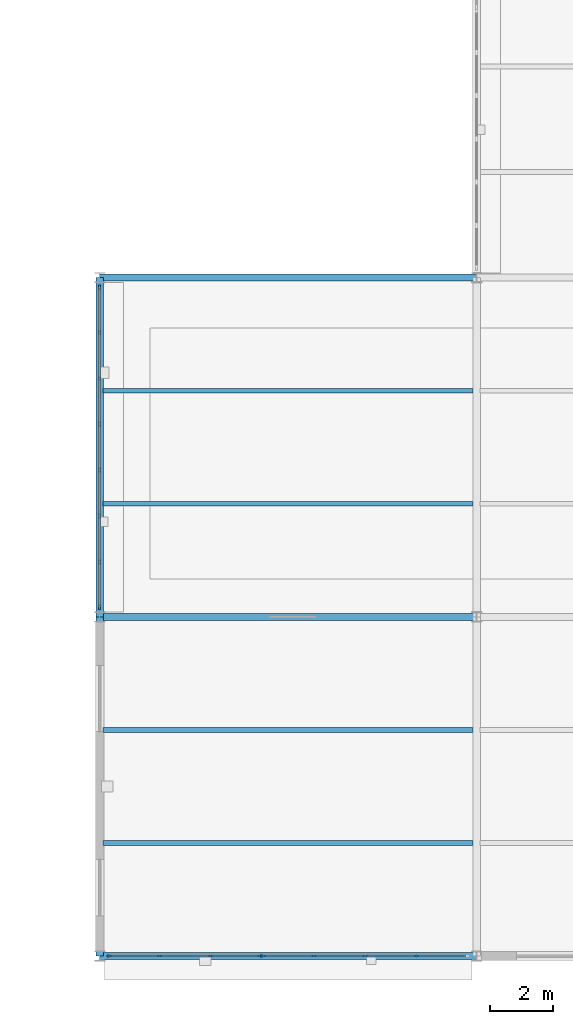
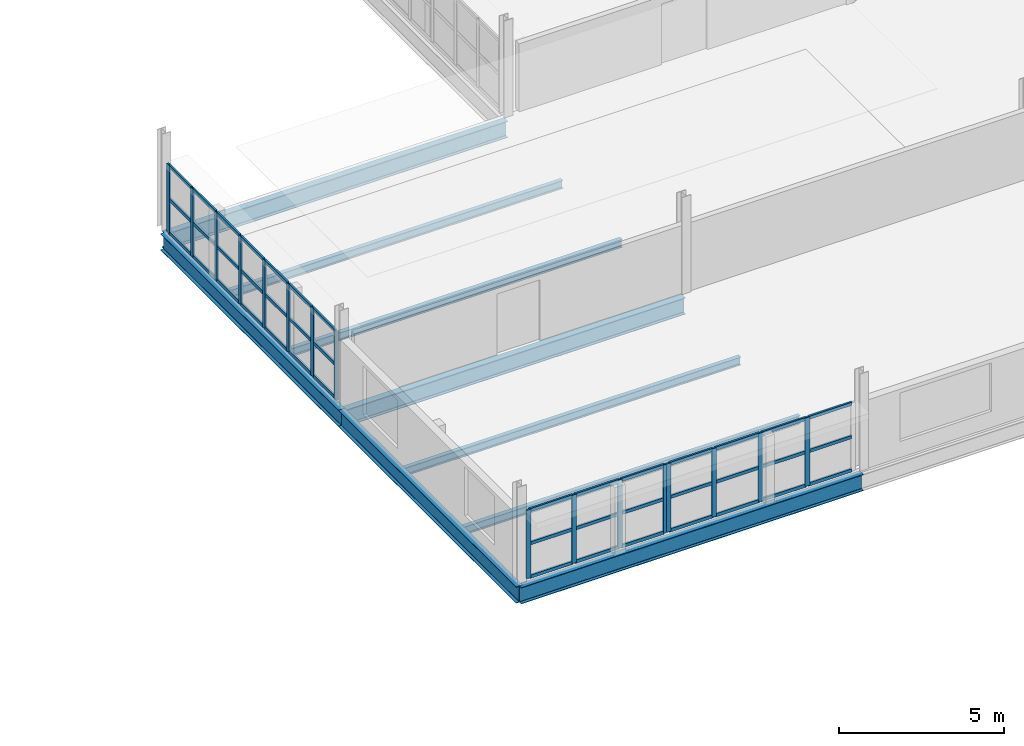
# One storey, part 25 of 79: 58 members, 9 beams, 3 elements without a shape of their own.
"""IFC4 building model written with IfcOpenShell, lengths in metres."""

from ifc_helpers import new_model, si_unit, direction, frame, origin, origin_2d, place, context, subcontext, project, spatial, rectangle, i_section, extrude, material, layer, layer_set, material_profile, profile_set, type_object, element, aggregate, save


model = new_model("IFC4")

# Units and contexts
model_context = context("Model", 3, precision=1e-05, world=origin(), true_north=direction((0.0, 1.0)))
body_context = subcontext(model_context, "Body", "Model", "MODEL_VIEW")
ifc_project = project(units=[si_unit("LENGTHUNIT", "METRE"), si_unit("AREAUNIT", "SQUARE_METRE"), si_unit("VOLUMEUNIT", "CUBIC_METRE"), si_unit("PLANEANGLEUNIT", "RADIAN"), si_unit("MASSUNIT", "GRAM", prefix="KILO"), si_unit("THERMODYNAMICTEMPERATUREUNIT", "KELVIN"), si_unit("POWERUNIT", "WATT")], contexts=[model_context])

# Site, building, storey
site_placement = place(None, origin())
site = spatial("IfcSite", under=ifc_project, at=site_placement, CompositionType="ELEMENT")
building_placement = place(site_placement, origin())
building = spatial("IfcBuilding", under=site, at=building_placement, Name="Tembeka Court Mobility Hub", CompositionType="ELEMENT")
storey_placement = place(building_placement, frame((0.0, 0.0, 9.0)))
storey = spatial("IfcBuildingStorey", under=building, at=storey_placement, Name="L02", CompositionType="ELEMENT", Elevation=9.0)

# Beams
ifc_material_1 = material(Name="Steel S355", Category="steel")
ifc_material_profile_1 = material_profile(ifc_material_1, i_section(OverallWidth=0.22900390625, OverallDepth=0.612060546875, WebThickness=0.011962890625, FlangeThickness=0.01953125, FilletRadius=0.0126953125, at=origin_2d()), Name="UKB 610x229x125")
ifc_profile_set_1 = profile_set([ifc_material_profile_1], Name="Steel S355")
beam_type_1 = type_object("IfcBeamType", Name="BM-G02", PredefinedType="USERDEFINED", material=ifc_profile_set_1)
for number, where, z_axis, x_axis, name in (
    (1, (116.39990234375, 0.0, -0.49609375), (1.0, 0.0, 0.0), (0.0, 1.0, 0.0), "Beam G02 (BM-L02-X1180)"),
    (2, (116.39990234375, 10.800048828125, -0.49609375), (1.0, 0.0, 0.0), (0.0, 1.0, 0.0), "Beam G02 (BM-L02-X1188)"),
    (3, (116.39990234375, 21.60009765625, -0.49609375), (1.0, 0.0, 0.0), (0.0, 1.0, 0.0), "Beam G02 (BM-L02-X1204)"),
):
    element("IfcBeam", number, at=place(storey_placement, frame(where, z_axis=z_axis, x_axis=x_axis)), inside=storey, type_object=beam_type_1, Name=name, ObjectType="GIRDER", PredefinedType="USERDEFINED", context=body_context, shape_type="SweptSolid", body=[
        extrude(i_section(OverallWidth=0.22900390625, OverallDepth=0.612060546875, WebThickness=0.011962890625, FlangeThickness=0.01953125, FilletRadius=0.0126953125, at=origin_2d()), origin(), (0.0, 0.0, 1.0), 12.0),
    ])
for number, where, z_axis, x_axis, name in (
    (4, (116.39990234375, 0.0, -0.49609375), (0.0, 1.0, 0.0), (-1.0, 0.0, 0.0), "Beam G02 (BM-L02-Y1412)"),
    (5, (116.39990234375, 10.800048828125, -0.49609375), (0.0, 1.0, 0.0), (-1.0, 0.0, 0.0), "Beam G02 (BM-L02-Y1413)"),
):
    element("IfcBeam", number, at=place(storey_placement, frame(where, z_axis=z_axis, x_axis=x_axis)), inside=storey, type_object=beam_type_1, Name=name, ObjectType="GIRDER", PredefinedType="USERDEFINED", context=body_context, shape_type="SweptSolid", body=[
        extrude(i_section(OverallWidth=0.22900390625, OverallDepth=0.612060546875, WebThickness=0.011962890625, FlangeThickness=0.01953125, FilletRadius=0.0126953125, at=origin_2d()), origin(), (0.0, 0.0, 1.0), 10.800048828125),
    ])
ifc_material_profile_2 = material_profile(ifc_material_1, i_section(OverallWidth=0.14990234375, OverallDepth=0.300048828125, WebThickness=0.007080078125, FlangeThickness=0.0107421875, FilletRadius=0.014892578125, at=origin_2d()), Name="IPE 300")
ifc_profile_set_2 = profile_set([ifc_material_profile_2], Name="Steel S355")
beam_type_2 = type_object("IfcBeamType", Name="BM-J04", PredefinedType="JOIST", material=ifc_profile_set_2)
for number, where, z_axis, x_axis, name in (
    (6, (116.509521484375, 3.60009765625, -0.340087890625), (1.0, 0.0, 0.0), (0.0, 1.0, 0.0), "Beam J04 (JST-L02-1635)"),
    (7, (116.509521484375, 7.199951171875, -0.340087890625), (1.0, 0.0, 0.0), (0.0, 1.0, 0.0), "Beam J04 (JST-L02-1636)"),
    (8, (116.509521484375, 14.39990234375, -0.340087890625), (1.0, 0.0, 0.0), (0.0, 1.0, 0.0), "Beam J04 (JST-L02-1637)"),
    (9, (116.509521484375, 18.0, -0.340087890625), (1.0, 0.0, 0.0), (0.0, 1.0, 0.0), "Beam J04 (JST-L02-1638)"),
):
    element("IfcBeam", number, at=place(storey_placement, frame(where, z_axis=z_axis, x_axis=x_axis)), inside=storey, type_object=beam_type_2, Name=name, PredefinedType="JOIST", context=body_context, shape_type="SweptSolid", body=[
        extrude(i_section(OverallWidth=0.14990234375, OverallDepth=0.300048828125, WebThickness=0.007080078125, FlangeThickness=0.0107421875, FilletRadius=0.014892578125, at=origin_2d()), origin(), (0.0, 0.0, 1.0), 11.781005859375),
    ])

# Curtain wall, members
ifc_material_2 = material(Name="Anodised aluminium 6063-T6", Category="aluminium")
ifc_layer_1 = layer(ifc_material_2, 0.159912109375)
ifc_layer_set_1 = layer_set([ifc_layer_1], Name="Anodised aluminium 6063-T6")
curtain_wall_type_1 = type_object("IfcCurtainWallType", Name="CW-SYS47", PredefinedType="USERDEFINED", material=ifc_layer_set_1)
curtain_wall_1_placement = place(storey_placement, origin())
curtain_wall_1 = element("IfcCurtainWall", 10, at=curtain_wall_1_placement, inside=storey, type_object=curtain_wall_type_1, Name="Unitised curtain wall CW47 (CW-L02-118)", ObjectType="UNITISED GLAZING", PredefinedType="USERDEFINED")
ifc_material_profile_3 = material_profile(ifc_material_2, rectangle(XDim=0.06494140625, YDim=0.159912109375, at=origin_2d()), Name="ALU-MUL 65x160")
ifc_profile_set_3 = profile_set([ifc_material_profile_3], Name="Anodised aluminium 6063-T6")
member_type_1 = type_object("IfcMemberType", Name="CW-MUL01", PredefinedType="MULLION", material=ifc_profile_set_3)
member_1_placement = place(storey_placement, frame((116.71240234375, 0.0, 0.0), z_axis=(0.0, 0.0, 1.0), x_axis=(0.0, 1.0, 0.0)))
member_1 = element("IfcMember", 11, at=member_1_placement, type_object=member_type_1, Name="CW47 mullion 1", PredefinedType="MULLION", context=body_context, shape_type="SweptSolid", body=[
    extrude(rectangle(XDim=0.06494140625, YDim=0.159912109375, at=origin_2d()), origin(), (0.0, 0.0, 1.0), 2.534912109375),
])
member_2_placement = place(storey_placement, frame((118.300048828125, 0.0, 0.0), z_axis=(0.0, 0.0, 1.0), x_axis=(0.0, 1.0, 0.0)))
member_2 = element("IfcMember", 12, at=member_2_placement, type_object=member_type_1, Name="CW47 mullion 2", PredefinedType="MULLION", context=body_context, shape_type="SweptSolid", body=[
    extrude(rectangle(XDim=0.06494140625, YDim=0.159912109375, at=origin_2d()), origin(), (0.0, 0.0, 1.0), 2.534912109375),
])
member_3_placement = place(storey_placement, frame((119.919921875, 0.0, 0.0), z_axis=(0.0, 0.0, 1.0), x_axis=(0.0, 1.0, 0.0)))
member_3 = element("IfcMember", 13, at=member_3_placement, type_object=member_type_1, Name="CW47 mullion 3", PredefinedType="MULLION", context=body_context, shape_type="SweptSolid", body=[
    extrude(rectangle(XDim=0.06494140625, YDim=0.159912109375, at=origin_2d()), origin(), (0.0, 0.0, 1.0), 2.534912109375),
])
member_4_placement = place(storey_placement, frame((121.507568359375, 0.0, 0.0), z_axis=(0.0, 0.0, 1.0), x_axis=(0.0, 1.0, 0.0)))
member_4 = element("IfcMember", 14, at=member_4_placement, type_object=member_type_1, Name="CW47 mullion 4", PredefinedType="MULLION", context=body_context, shape_type="SweptSolid", body=[
    extrude(rectangle(XDim=0.06494140625, YDim=0.159912109375, at=origin_2d()), origin(), (0.0, 0.0, 1.0), 2.534912109375),
])

ifc_layer_2 = layer(ifc_material_2, 0.159912109375)
ifc_layer_set_2 = layer_set([ifc_layer_2], Name="Anodised aluminium 6063-T6")
curtain_wall_type_2 = type_object("IfcCurtainWallType", Name="CW-SYS48", PredefinedType="USERDEFINED", material=ifc_layer_set_2)
curtain_wall_2_placement = place(storey_placement, origin())
curtain_wall_2 = element("IfcCurtainWall", 15, at=curtain_wall_2_placement, inside=storey, type_object=curtain_wall_type_2, Name="Unitised curtain wall CW48 (CW-L02-119)", ObjectType="UNITISED GLAZING", PredefinedType="USERDEFINED")
member_5_placement = place(storey_placement, frame((121.612548828125, 0.0, 0.0), z_axis=(0.0, 0.0, 1.0), x_axis=(0.0, 1.0, 0.0)))
member_5 = element("IfcMember", 16, at=member_5_placement, type_object=member_type_1, Name="CW48 mullion 1", PredefinedType="MULLION", context=body_context, shape_type="SweptSolid", body=[
    extrude(rectangle(XDim=0.06494140625, YDim=0.159912109375, at=origin_2d()), origin(), (0.0, 0.0, 1.0), 2.534912109375),
])
member_6_placement = place(storey_placement, frame((123.215087890625, 0.0, 0.0), z_axis=(0.0, 0.0, 1.0), x_axis=(0.0, 1.0, 0.0)))
member_6 = element("IfcMember", 17, at=member_6_placement, type_object=member_type_1, Name="CW48 mullion 2", PredefinedType="MULLION", context=body_context, shape_type="SweptSolid", body=[
    extrude(rectangle(XDim=0.06494140625, YDim=0.159912109375, at=origin_2d()), origin(), (0.0, 0.0, 1.0), 2.534912109375),
])
member_7_placement = place(storey_placement, frame((124.85009765625, 0.0, 0.0), z_axis=(0.0, 0.0, 1.0), x_axis=(0.0, 1.0, 0.0)))
member_7 = element("IfcMember", 18, at=member_7_placement, type_object=member_type_1, Name="CW48 mullion 3", PredefinedType="MULLION", context=body_context, shape_type="SweptSolid", body=[
    extrude(rectangle(XDim=0.06494140625, YDim=0.159912109375, at=origin_2d()), origin(), (0.0, 0.0, 1.0), 2.534912109375),
])
member_8_placement = place(storey_placement, frame((126.485107421875, 0.0, 0.0), z_axis=(0.0, 0.0, 1.0), x_axis=(0.0, 1.0, 0.0)))
member_8 = element("IfcMember", 19, at=member_8_placement, type_object=member_type_1, Name="CW48 mullion 4", PredefinedType="MULLION", context=body_context, shape_type="SweptSolid", body=[
    extrude(rectangle(XDim=0.06494140625, YDim=0.159912109375, at=origin_2d()), origin(), (0.0, 0.0, 1.0), 2.534912109375),
])

ifc_layer_3 = layer(ifc_material_2, 0.159912109375)
ifc_layer_set_3 = layer_set([ifc_layer_3], Name="Anodised aluminium 6063-T6")
curtain_wall_type_3 = type_object("IfcCurtainWallType", Name="CW-SYS42", PredefinedType="USERDEFINED", material=ifc_layer_set_3)
curtain_wall_3_placement = place(storey_placement, origin())
curtain_wall_3 = element("IfcCurtainWall", 20, at=curtain_wall_3_placement, inside=storey, type_object=curtain_wall_type_3, Name="Unitised curtain wall CW42 (CW-L02-130)", ObjectType="UNITISED GLAZING", PredefinedType="USERDEFINED")
member_9_placement = place(storey_placement, frame((116.39990234375, 11.112548828125, 0.0), z_axis=(0.0, 0.0, 1.0), x_axis=(-1.0, 0.0, 0.0)))
member_9 = element("IfcMember", 21, at=member_9_placement, type_object=member_type_1, Name="CW42 mullion 1", PredefinedType="MULLION", context=body_context, shape_type="SweptSolid", body=[
    extrude(rectangle(XDim=0.06494140625, YDim=0.159912109375, at=origin_2d()), origin(), (0.0, 0.0, 1.0), 2.534912109375),
])
member_10_placement = place(storey_placement, frame((116.39990234375, 12.54296875, 0.0), z_axis=(0.0, 0.0, 1.0), x_axis=(-1.0, 0.0, 0.0)))
member_10 = element("IfcMember", 22, at=member_10_placement, type_object=member_type_1, Name="CW42 mullion 2", PredefinedType="MULLION", context=body_context, shape_type="SweptSolid", body=[
    extrude(rectangle(XDim=0.06494140625, YDim=0.159912109375, at=origin_2d()), origin(), (0.0, 0.0, 1.0), 2.534912109375),
])
member_11_placement = place(storey_placement, frame((116.39990234375, 14.005615234375, 0.0), z_axis=(0.0, 0.0, 1.0), x_axis=(-1.0, 0.0, 0.0)))
member_11 = element("IfcMember", 23, at=member_11_placement, type_object=member_type_1, Name="CW42 mullion 3", PredefinedType="MULLION", context=body_context, shape_type="SweptSolid", body=[
    extrude(rectangle(XDim=0.06494140625, YDim=0.159912109375, at=origin_2d()), origin(), (0.0, 0.0, 1.0), 2.534912109375),
])
member_12_placement = place(storey_placement, frame((116.39990234375, 15.468505859375, 0.0), z_axis=(0.0, 0.0, 1.0), x_axis=(-1.0, 0.0, 0.0)))
member_12 = element("IfcMember", 24, at=member_12_placement, type_object=member_type_1, Name="CW42 mullion 4", PredefinedType="MULLION", context=body_context, shape_type="SweptSolid", body=[
    extrude(rectangle(XDim=0.06494140625, YDim=0.159912109375, at=origin_2d()), origin(), (0.0, 0.0, 1.0), 2.534912109375),
])
member_13_placement = place(storey_placement, frame((116.39990234375, 16.931396484375, 0.0), z_axis=(0.0, 0.0, 1.0), x_axis=(-1.0, 0.0, 0.0)))
member_13 = element("IfcMember", 25, at=member_13_placement, type_object=member_type_1, Name="CW42 mullion 5", PredefinedType="MULLION", context=body_context, shape_type="SweptSolid", body=[
    extrude(rectangle(XDim=0.06494140625, YDim=0.159912109375, at=origin_2d()), origin(), (0.0, 0.0, 1.0), 2.534912109375),
])
member_14_placement = place(storey_placement, frame((116.39990234375, 18.394287109375, 0.0), z_axis=(0.0, 0.0, 1.0), x_axis=(-1.0, 0.0, 0.0)))
member_14 = element("IfcMember", 26, at=member_14_placement, type_object=member_type_1, Name="CW42 mullion 6", PredefinedType="MULLION", context=body_context, shape_type="SweptSolid", body=[
    extrude(rectangle(XDim=0.06494140625, YDim=0.159912109375, at=origin_2d()), origin(), (0.0, 0.0, 1.0), 2.534912109375),
])
member_15_placement = place(storey_placement, frame((116.39990234375, 19.857177734375, 0.0), z_axis=(0.0, 0.0, 1.0), x_axis=(-1.0, 0.0, 0.0)))
member_15 = element("IfcMember", 27, at=member_15_placement, type_object=member_type_1, Name="CW42 mullion 7", PredefinedType="MULLION", context=body_context, shape_type="SweptSolid", body=[
    extrude(rectangle(XDim=0.06494140625, YDim=0.159912109375, at=origin_2d()), origin(), (0.0, 0.0, 1.0), 2.534912109375),
])
member_16_placement = place(storey_placement, frame((116.39990234375, 21.28759765625, 0.0), z_axis=(0.0, 0.0, 1.0), x_axis=(-1.0, 0.0, 0.0)))
member_16 = element("IfcMember", 28, at=member_16_placement, type_object=member_type_1, Name="CW42 mullion 8", PredefinedType="MULLION", context=body_context, shape_type="SweptSolid", body=[
    extrude(rectangle(XDim=0.06494140625, YDim=0.159912109375, at=origin_2d()), origin(), (0.0, 0.0, 1.0), 2.534912109375),
])

# Member
ifc_material_profile_4 = material_profile(ifc_material_2, rectangle(XDim=0.06494140625, YDim=0.1201171875, at=origin_2d()), Name="ALU-TRN 65x120")
ifc_profile_set_4 = profile_set([ifc_material_profile_4], Name="Anodised aluminium 6063-T6")
member_type_2 = type_object("IfcMemberType", Name="CW-TRN01", PredefinedType="USERDEFINED", material=ifc_profile_set_4)
member_17_placement = place(storey_placement, frame((116.7451171875, 0.0, 0.032470703125), z_axis=(1.0, 0.0, 0.0), x_axis=(0.0, 1.0, 0.0)))
member_17 = element("IfcMember", 29, at=member_17_placement, type_object=member_type_2, Name="CW47 transom 1.1", ObjectType="TRANSOM", PredefinedType="USERDEFINED", context=body_context, shape_type="SweptSolid", body=[
    extrude(rectangle(XDim=0.06494140625, YDim=0.1201171875, at=origin_2d()), origin(), (0.0, 0.0, 1.0), 1.5224609375),
])

member_18_placement = place(storey_placement, frame((116.7451171875, 0.0, 1.267578125), z_axis=(1.0, 0.0, 0.0), x_axis=(0.0, 1.0, 0.0)))
member_18 = element("IfcMember", 30, at=member_18_placement, type_object=member_type_2, Name="CW47 transom 1.2", ObjectType="TRANSOM", PredefinedType="USERDEFINED", context=body_context, shape_type="SweptSolid", body=[
    extrude(rectangle(XDim=0.06494140625, YDim=0.1201171875, at=origin_2d()), origin(), (0.0, 0.0, 1.0), 1.5224609375),
])

member_19_placement = place(storey_placement, frame((116.7451171875, 0.0, 2.50244140625), z_axis=(1.0, 0.0, 0.0), x_axis=(0.0, 1.0, 0.0)))
member_19 = element("IfcMember", 31, at=member_19_placement, type_object=member_type_2, Name="CW47 transom 1.3", ObjectType="TRANSOM", PredefinedType="USERDEFINED", context=body_context, shape_type="SweptSolid", body=[
    extrude(rectangle(XDim=0.06494140625, YDim=0.1201171875, at=origin_2d()), origin(), (0.0, 0.0, 1.0), 1.5224609375),
])

member_20_placement = place(storey_placement, frame((118.33251953125, 0.0, 0.032470703125), z_axis=(1.0, 0.0, 0.0), x_axis=(0.0, 1.0, 0.0)))
member_20 = element("IfcMember", 32, at=member_20_placement, type_object=member_type_2, Name="CW47 transom 2.1", ObjectType="TRANSOM", PredefinedType="USERDEFINED", context=body_context, shape_type="SweptSolid", body=[
    extrude(rectangle(XDim=0.06494140625, YDim=0.1201171875, at=origin_2d()), origin(), (0.0, 0.0, 1.0), 1.554931640625),
])

member_21_placement = place(storey_placement, frame((118.33251953125, 0.0, 1.267578125), z_axis=(1.0, 0.0, 0.0), x_axis=(0.0, 1.0, 0.0)))
member_21 = element("IfcMember", 33, at=member_21_placement, type_object=member_type_2, Name="CW47 transom 2.2", ObjectType="TRANSOM", PredefinedType="USERDEFINED", context=body_context, shape_type="SweptSolid", body=[
    extrude(rectangle(XDim=0.06494140625, YDim=0.1201171875, at=origin_2d()), origin(), (0.0, 0.0, 1.0), 1.554931640625),
])

member_22_placement = place(storey_placement, frame((118.33251953125, 0.0, 2.50244140625), z_axis=(1.0, 0.0, 0.0), x_axis=(0.0, 1.0, 0.0)))
member_22 = element("IfcMember", 34, at=member_22_placement, type_object=member_type_2, Name="CW47 transom 2.3", ObjectType="TRANSOM", PredefinedType="USERDEFINED", context=body_context, shape_type="SweptSolid", body=[
    extrude(rectangle(XDim=0.06494140625, YDim=0.1201171875, at=origin_2d()), origin(), (0.0, 0.0, 1.0), 1.554931640625),
])

member_23_placement = place(storey_placement, frame((119.952392578125, 0.0, 0.032470703125), z_axis=(1.0, 0.0, 0.0), x_axis=(0.0, 1.0, 0.0)))
member_23 = element("IfcMember", 35, at=member_23_placement, type_object=member_type_2, Name="CW47 transom 3.1", ObjectType="TRANSOM", PredefinedType="USERDEFINED", context=body_context, shape_type="SweptSolid", body=[
    extrude(rectangle(XDim=0.06494140625, YDim=0.1201171875, at=origin_2d()), origin(), (0.0, 0.0, 1.0), 1.522705078125),
])

member_24_placement = place(storey_placement, frame((119.952392578125, 0.0, 1.267578125), z_axis=(1.0, 0.0, 0.0), x_axis=(0.0, 1.0, 0.0)))
member_24 = element("IfcMember", 36, at=member_24_placement, type_object=member_type_2, Name="CW47 transom 3.2", ObjectType="TRANSOM", PredefinedType="USERDEFINED", context=body_context, shape_type="SweptSolid", body=[
    extrude(rectangle(XDim=0.06494140625, YDim=0.1201171875, at=origin_2d()), origin(), (0.0, 0.0, 1.0), 1.522705078125),
])

member_25_placement = place(storey_placement, frame((119.952392578125, 0.0, 2.50244140625), z_axis=(1.0, 0.0, 0.0), x_axis=(0.0, 1.0, 0.0)))
member_25 = element("IfcMember", 37, at=member_25_placement, type_object=member_type_2, Name="CW47 transom 3.3", ObjectType="TRANSOM", PredefinedType="USERDEFINED", context=body_context, shape_type="SweptSolid", body=[
    extrude(rectangle(XDim=0.06494140625, YDim=0.1201171875, at=origin_2d()), origin(), (0.0, 0.0, 1.0), 1.522705078125),
])

aggregate(curtain_wall_1, [member_1, member_2, member_3, member_4, member_17, member_18, member_19, member_20, member_21, member_22, member_23, member_24, member_25])

member_26_placement = place(storey_placement, frame((121.64501953125, 0.0, 0.032470703125), z_axis=(1.0, 0.0, 0.0), x_axis=(0.0, 1.0, 0.0)))
member_26 = element("IfcMember", 38, at=member_26_placement, type_object=member_type_2, Name="CW48 transom 1.1", ObjectType="TRANSOM", PredefinedType="USERDEFINED", context=body_context, shape_type="SweptSolid", body=[
    extrude(rectangle(XDim=0.06494140625, YDim=0.1201171875, at=origin_2d()), origin(), (0.0, 0.0, 1.0), 1.53759765625),
])

member_27_placement = place(storey_placement, frame((121.64501953125, 0.0, 1.267578125), z_axis=(1.0, 0.0, 0.0), x_axis=(0.0, 1.0, 0.0)))
member_27 = element("IfcMember", 39, at=member_27_placement, type_object=member_type_2, Name="CW48 transom 1.2", ObjectType="TRANSOM", PredefinedType="USERDEFINED", context=body_context, shape_type="SweptSolid", body=[
    extrude(rectangle(XDim=0.06494140625, YDim=0.1201171875, at=origin_2d()), origin(), (0.0, 0.0, 1.0), 1.53759765625),
])

member_28_placement = place(storey_placement, frame((121.64501953125, 0.0, 2.50244140625), z_axis=(1.0, 0.0, 0.0), x_axis=(0.0, 1.0, 0.0)))
member_28 = element("IfcMember", 40, at=member_28_placement, type_object=member_type_2, Name="CW48 transom 1.3", ObjectType="TRANSOM", PredefinedType="USERDEFINED", context=body_context, shape_type="SweptSolid", body=[
    extrude(rectangle(XDim=0.06494140625, YDim=0.1201171875, at=origin_2d()), origin(), (0.0, 0.0, 1.0), 1.53759765625),
])

member_29_placement = place(storey_placement, frame((123.24755859375, 0.0, 0.032470703125), z_axis=(1.0, 0.0, 0.0), x_axis=(0.0, 1.0, 0.0)))
member_29 = element("IfcMember", 41, at=member_29_placement, type_object=member_type_2, Name="CW48 transom 2.1", ObjectType="TRANSOM", PredefinedType="USERDEFINED", context=body_context, shape_type="SweptSolid", body=[
    extrude(rectangle(XDim=0.06494140625, YDim=0.1201171875, at=origin_2d()), origin(), (0.0, 0.0, 1.0), 1.56982421875),
])

member_30_placement = place(storey_placement, frame((123.24755859375, 0.0, 1.267578125), z_axis=(1.0, 0.0, 0.0), x_axis=(0.0, 1.0, 0.0)))
member_30 = element("IfcMember", 42, at=member_30_placement, type_object=member_type_2, Name="CW48 transom 2.2", ObjectType="TRANSOM", PredefinedType="USERDEFINED", context=body_context, shape_type="SweptSolid", body=[
    extrude(rectangle(XDim=0.06494140625, YDim=0.1201171875, at=origin_2d()), origin(), (0.0, 0.0, 1.0), 1.56982421875),
])

member_31_placement = place(storey_placement, frame((123.24755859375, 0.0, 2.50244140625), z_axis=(1.0, 0.0, 0.0), x_axis=(0.0, 1.0, 0.0)))
member_31 = element("IfcMember", 43, at=member_31_placement, type_object=member_type_2, Name="CW48 transom 2.3", ObjectType="TRANSOM", PredefinedType="USERDEFINED", context=body_context, shape_type="SweptSolid", body=[
    extrude(rectangle(XDim=0.06494140625, YDim=0.1201171875, at=origin_2d()), origin(), (0.0, 0.0, 1.0), 1.56982421875),
])

member_32_placement = place(storey_placement, frame((124.882568359375, 0.0, 0.032470703125), z_axis=(1.0, 0.0, 0.0), x_axis=(0.0, 1.0, 0.0)))
member_32 = element("IfcMember", 44, at=member_32_placement, type_object=member_type_2, Name="CW48 transom 3.1", ObjectType="TRANSOM", PredefinedType="USERDEFINED", context=body_context, shape_type="SweptSolid", body=[
    extrude(rectangle(XDim=0.06494140625, YDim=0.1201171875, at=origin_2d()), origin(), (0.0, 0.0, 1.0), 1.56982421875),
])

member_33_placement = place(storey_placement, frame((124.882568359375, 0.0, 1.267578125), z_axis=(1.0, 0.0, 0.0), x_axis=(0.0, 1.0, 0.0)))
member_33 = element("IfcMember", 45, at=member_33_placement, type_object=member_type_2, Name="CW48 transom 3.2", ObjectType="TRANSOM", PredefinedType="USERDEFINED", context=body_context, shape_type="SweptSolid", body=[
    extrude(rectangle(XDim=0.06494140625, YDim=0.1201171875, at=origin_2d()), origin(), (0.0, 0.0, 1.0), 1.56982421875),
])

member_34_placement = place(storey_placement, frame((124.882568359375, 0.0, 2.50244140625), z_axis=(1.0, 0.0, 0.0), x_axis=(0.0, 1.0, 0.0)))
member_34 = element("IfcMember", 46, at=member_34_placement, type_object=member_type_2, Name="CW48 transom 3.3", ObjectType="TRANSOM", PredefinedType="USERDEFINED", context=body_context, shape_type="SweptSolid", body=[
    extrude(rectangle(XDim=0.06494140625, YDim=0.1201171875, at=origin_2d()), origin(), (0.0, 0.0, 1.0), 1.56982421875),
])

member_35_placement = place(storey_placement, frame((126.517578125, 0.0, 0.032470703125), z_axis=(1.0, 0.0, 0.0), x_axis=(0.0, 1.0, 0.0)))
member_35 = element("IfcMember", 47, at=member_35_placement, type_object=member_type_2, Name="CW48 transom 4.1", ObjectType="TRANSOM", PredefinedType="USERDEFINED", context=body_context, shape_type="SweptSolid", body=[
    extrude(rectangle(XDim=0.06494140625, YDim=0.1201171875, at=origin_2d()), origin(), (0.0, 0.0, 1.0), 1.537353515625),
])

member_36_placement = place(storey_placement, frame((126.517578125, 0.0, 1.267578125), z_axis=(1.0, 0.0, 0.0), x_axis=(0.0, 1.0, 0.0)))
member_36 = element("IfcMember", 48, at=member_36_placement, type_object=member_type_2, Name="CW48 transom 4.2", ObjectType="TRANSOM", PredefinedType="USERDEFINED", context=body_context, shape_type="SweptSolid", body=[
    extrude(rectangle(XDim=0.06494140625, YDim=0.1201171875, at=origin_2d()), origin(), (0.0, 0.0, 1.0), 1.537353515625),
])

member_37_placement = place(storey_placement, frame((126.517578125, 0.0, 2.50244140625), z_axis=(1.0, 0.0, 0.0), x_axis=(0.0, 1.0, 0.0)))
member_37 = element("IfcMember", 49, at=member_37_placement, type_object=member_type_2, Name="CW48 transom 4.3", ObjectType="TRANSOM", PredefinedType="USERDEFINED", context=body_context, shape_type="SweptSolid", body=[
    extrude(rectangle(XDim=0.06494140625, YDim=0.1201171875, at=origin_2d()), origin(), (0.0, 0.0, 1.0), 1.537353515625),
])

aggregate(curtain_wall_2, [member_5, member_6, member_7, member_8, member_26, member_27, member_28, member_29, member_30, member_31, member_32, member_33, member_34, member_35, member_36, member_37])

member_38_placement = place(storey_placement, frame((116.39990234375, 11.14501953125, 0.032470703125), z_axis=(0.0, 1.0, 0.0), x_axis=(-1.0, 0.0, 0.0)))
member_38 = element("IfcMember", 50, at=member_38_placement, type_object=member_type_2, Name="CW42 transom 1.1", ObjectType="TRANSOM", PredefinedType="USERDEFINED", context=body_context, shape_type="SweptSolid", body=[
    extrude(rectangle(XDim=0.06494140625, YDim=0.1201171875, at=origin_2d()), origin(), (0.0, 0.0, 1.0), 1.365234375),
])

member_39_placement = place(storey_placement, frame((116.39990234375, 11.14501953125, 1.267578125), z_axis=(0.0, 1.0, 0.0), x_axis=(-1.0, 0.0, 0.0)))
member_39 = element("IfcMember", 51, at=member_39_placement, type_object=member_type_2, Name="CW42 transom 1.2", ObjectType="TRANSOM", PredefinedType="USERDEFINED", context=body_context, shape_type="SweptSolid", body=[
    extrude(rectangle(XDim=0.06494140625, YDim=0.1201171875, at=origin_2d()), origin(), (0.0, 0.0, 1.0), 1.365234375),
])

member_40_placement = place(storey_placement, frame((116.39990234375, 11.14501953125, 2.50244140625), z_axis=(0.0, 1.0, 0.0), x_axis=(-1.0, 0.0, 0.0)))
member_40 = element("IfcMember", 52, at=member_40_placement, type_object=member_type_2, Name="CW42 transom 1.3", ObjectType="TRANSOM", PredefinedType="USERDEFINED", context=body_context, shape_type="SweptSolid", body=[
    extrude(rectangle(XDim=0.06494140625, YDim=0.1201171875, at=origin_2d()), origin(), (0.0, 0.0, 1.0), 1.365234375),
])

member_41_placement = place(storey_placement, frame((116.39990234375, 12.575439453125, 0.032470703125), z_axis=(0.0, 1.0, 0.0), x_axis=(-1.0, 0.0, 0.0)))
member_41 = element("IfcMember", 53, at=member_41_placement, type_object=member_type_2, Name="CW42 transom 2.1", ObjectType="TRANSOM", PredefinedType="USERDEFINED", context=body_context, shape_type="SweptSolid", body=[
    extrude(rectangle(XDim=0.06494140625, YDim=0.1201171875, at=origin_2d()), origin(), (0.0, 0.0, 1.0), 1.397705078125),
])

member_42_placement = place(storey_placement, frame((116.39990234375, 12.575439453125, 1.267578125), z_axis=(0.0, 1.0, 0.0), x_axis=(-1.0, 0.0, 0.0)))
member_42 = element("IfcMember", 54, at=member_42_placement, type_object=member_type_2, Name="CW42 transom 2.2", ObjectType="TRANSOM", PredefinedType="USERDEFINED", context=body_context, shape_type="SweptSolid", body=[
    extrude(rectangle(XDim=0.06494140625, YDim=0.1201171875, at=origin_2d()), origin(), (0.0, 0.0, 1.0), 1.397705078125),
])

member_43_placement = place(storey_placement, frame((116.39990234375, 12.575439453125, 2.50244140625), z_axis=(0.0, 1.0, 0.0), x_axis=(-1.0, 0.0, 0.0)))
member_43 = element("IfcMember", 55, at=member_43_placement, type_object=member_type_2, Name="CW42 transom 2.3", ObjectType="TRANSOM", PredefinedType="USERDEFINED", context=body_context, shape_type="SweptSolid", body=[
    extrude(rectangle(XDim=0.06494140625, YDim=0.1201171875, at=origin_2d()), origin(), (0.0, 0.0, 1.0), 1.397705078125),
])

member_44_placement = place(storey_placement, frame((116.39990234375, 14.038330078125, 0.032470703125), z_axis=(0.0, 1.0, 0.0), x_axis=(-1.0, 0.0, 0.0)))
member_44 = element("IfcMember", 56, at=member_44_placement, type_object=member_type_2, Name="CW42 transom 3.1", ObjectType="TRANSOM", PredefinedType="USERDEFINED", context=body_context, shape_type="SweptSolid", body=[
    extrude(rectangle(XDim=0.06494140625, YDim=0.1201171875, at=origin_2d()), origin(), (0.0, 0.0, 1.0), 1.397705078125),
])

member_45_placement = place(storey_placement, frame((116.39990234375, 14.038330078125, 1.267578125), z_axis=(0.0, 1.0, 0.0), x_axis=(-1.0, 0.0, 0.0)))
member_45 = element("IfcMember", 57, at=member_45_placement, type_object=member_type_2, Name="CW42 transom 3.2", ObjectType="TRANSOM", PredefinedType="USERDEFINED", context=body_context, shape_type="SweptSolid", body=[
    extrude(rectangle(XDim=0.06494140625, YDim=0.1201171875, at=origin_2d()), origin(), (0.0, 0.0, 1.0), 1.397705078125),
])

member_46_placement = place(storey_placement, frame((116.39990234375, 14.038330078125, 2.50244140625), z_axis=(0.0, 1.0, 0.0), x_axis=(-1.0, 0.0, 0.0)))
member_46 = element("IfcMember", 58, at=member_46_placement, type_object=member_type_2, Name="CW42 transom 3.3", ObjectType="TRANSOM", PredefinedType="USERDEFINED", context=body_context, shape_type="SweptSolid", body=[
    extrude(rectangle(XDim=0.06494140625, YDim=0.1201171875, at=origin_2d()), origin(), (0.0, 0.0, 1.0), 1.397705078125),
])

member_47_placement = place(storey_placement, frame((116.39990234375, 15.5009765625, 0.032470703125), z_axis=(0.0, 1.0, 0.0), x_axis=(-1.0, 0.0, 0.0)))
member_47 = element("IfcMember", 59, at=member_47_placement, type_object=member_type_2, Name="CW42 transom 4.1", ObjectType="TRANSOM", PredefinedType="USERDEFINED", context=body_context, shape_type="SweptSolid", body=[
    extrude(rectangle(XDim=0.06494140625, YDim=0.1201171875, at=origin_2d()), origin(), (0.0, 0.0, 1.0), 1.39794921875),
])

member_48_placement = place(storey_placement, frame((116.39990234375, 15.5009765625, 1.267578125), z_axis=(0.0, 1.0, 0.0), x_axis=(-1.0, 0.0, 0.0)))
member_48 = element("IfcMember", 60, at=member_48_placement, type_object=member_type_2, Name="CW42 transom 4.2", ObjectType="TRANSOM", PredefinedType="USERDEFINED", context=body_context, shape_type="SweptSolid", body=[
    extrude(rectangle(XDim=0.06494140625, YDim=0.1201171875, at=origin_2d()), origin(), (0.0, 0.0, 1.0), 1.39794921875),
])

member_49_placement = place(storey_placement, frame((116.39990234375, 15.5009765625, 2.50244140625), z_axis=(0.0, 1.0, 0.0), x_axis=(-1.0, 0.0, 0.0)))
member_49 = element("IfcMember", 61, at=member_49_placement, type_object=member_type_2, Name="CW42 transom 4.3", ObjectType="TRANSOM", PredefinedType="USERDEFINED", context=body_context, shape_type="SweptSolid", body=[
    extrude(rectangle(XDim=0.06494140625, YDim=0.1201171875, at=origin_2d()), origin(), (0.0, 0.0, 1.0), 1.39794921875),
])

member_50_placement = place(storey_placement, frame((116.39990234375, 16.9638671875, 0.032470703125), z_axis=(0.0, 1.0, 0.0), x_axis=(-1.0, 0.0, 0.0)))
member_50 = element("IfcMember", 62, at=member_50_placement, type_object=member_type_2, Name="CW42 transom 5.1", ObjectType="TRANSOM", PredefinedType="USERDEFINED", context=body_context, shape_type="SweptSolid", body=[
    extrude(rectangle(XDim=0.06494140625, YDim=0.1201171875, at=origin_2d()), origin(), (0.0, 0.0, 1.0), 1.39794921875),
])

member_51_placement = place(storey_placement, frame((116.39990234375, 16.9638671875, 1.267578125), z_axis=(0.0, 1.0, 0.0), x_axis=(-1.0, 0.0, 0.0)))
member_51 = element("IfcMember", 63, at=member_51_placement, type_object=member_type_2, Name="CW42 transom 5.2", ObjectType="TRANSOM", PredefinedType="USERDEFINED", context=body_context, shape_type="SweptSolid", body=[
    extrude(rectangle(XDim=0.06494140625, YDim=0.1201171875, at=origin_2d()), origin(), (0.0, 0.0, 1.0), 1.39794921875),
])

member_52_placement = place(storey_placement, frame((116.39990234375, 16.9638671875, 2.50244140625), z_axis=(0.0, 1.0, 0.0), x_axis=(-1.0, 0.0, 0.0)))
member_52 = element("IfcMember", 64, at=member_52_placement, type_object=member_type_2, Name="CW42 transom 5.3", ObjectType="TRANSOM", PredefinedType="USERDEFINED", context=body_context, shape_type="SweptSolid", body=[
    extrude(rectangle(XDim=0.06494140625, YDim=0.1201171875, at=origin_2d()), origin(), (0.0, 0.0, 1.0), 1.39794921875),
])

member_53_placement = place(storey_placement, frame((116.39990234375, 18.4267578125, 0.032470703125), z_axis=(0.0, 1.0, 0.0), x_axis=(-1.0, 0.0, 0.0)))
member_53 = element("IfcMember", 65, at=member_53_placement, type_object=member_type_2, Name="CW42 transom 6.1", ObjectType="TRANSOM", PredefinedType="USERDEFINED", context=body_context, shape_type="SweptSolid", body=[
    extrude(rectangle(XDim=0.06494140625, YDim=0.1201171875, at=origin_2d()), origin(), (0.0, 0.0, 1.0), 1.39794921875),
])

member_54_placement = place(storey_placement, frame((116.39990234375, 18.4267578125, 1.267578125), z_axis=(0.0, 1.0, 0.0), x_axis=(-1.0, 0.0, 0.0)))
member_54 = element("IfcMember", 66, at=member_54_placement, type_object=member_type_2, Name="CW42 transom 6.2", ObjectType="TRANSOM", PredefinedType="USERDEFINED", context=body_context, shape_type="SweptSolid", body=[
    extrude(rectangle(XDim=0.06494140625, YDim=0.1201171875, at=origin_2d()), origin(), (0.0, 0.0, 1.0), 1.39794921875),
])

member_55_placement = place(storey_placement, frame((116.39990234375, 18.4267578125, 2.50244140625), z_axis=(0.0, 1.0, 0.0), x_axis=(-1.0, 0.0, 0.0)))
member_55 = element("IfcMember", 67, at=member_55_placement, type_object=member_type_2, Name="CW42 transom 6.3", ObjectType="TRANSOM", PredefinedType="USERDEFINED", context=body_context, shape_type="SweptSolid", body=[
    extrude(rectangle(XDim=0.06494140625, YDim=0.1201171875, at=origin_2d()), origin(), (0.0, 0.0, 1.0), 1.39794921875),
])

member_56_placement = place(storey_placement, frame((116.39990234375, 19.8896484375, 0.032470703125), z_axis=(0.0, 1.0, 0.0), x_axis=(-1.0, 0.0, 0.0)))
member_56 = element("IfcMember", 68, at=member_56_placement, type_object=member_type_2, Name="CW42 transom 7.1", ObjectType="TRANSOM", PredefinedType="USERDEFINED", context=body_context, shape_type="SweptSolid", body=[
    extrude(rectangle(XDim=0.06494140625, YDim=0.1201171875, at=origin_2d()), origin(), (0.0, 0.0, 1.0), 1.365234375),
])

member_57_placement = place(storey_placement, frame((116.39990234375, 19.8896484375, 1.267578125), z_axis=(0.0, 1.0, 0.0), x_axis=(-1.0, 0.0, 0.0)))
member_57 = element("IfcMember", 69, at=member_57_placement, type_object=member_type_2, Name="CW42 transom 7.2", ObjectType="TRANSOM", PredefinedType="USERDEFINED", context=body_context, shape_type="SweptSolid", body=[
    extrude(rectangle(XDim=0.06494140625, YDim=0.1201171875, at=origin_2d()), origin(), (0.0, 0.0, 1.0), 1.365234375),
])

member_58_placement = place(storey_placement, frame((116.39990234375, 19.8896484375, 2.50244140625), z_axis=(0.0, 1.0, 0.0), x_axis=(-1.0, 0.0, 0.0)))
member_58 = element("IfcMember", 70, at=member_58_placement, type_object=member_type_2, Name="CW42 transom 7.3", ObjectType="TRANSOM", PredefinedType="USERDEFINED", context=body_context, shape_type="SweptSolid", body=[
    extrude(rectangle(XDim=0.06494140625, YDim=0.1201171875, at=origin_2d()), origin(), (0.0, 0.0, 1.0), 1.365234375),
])

aggregate(curtain_wall_3, [member_9, member_10, member_11, member_12, member_13, member_14, member_15, member_16, member_38, member_39, member_40, member_41, member_42, member_43, member_44, member_45, member_46, member_47, member_48, member_49, member_50, member_51, member_52, member_53, member_54, member_55, member_56, member_57, member_58])

save(model, "model.ifc")
